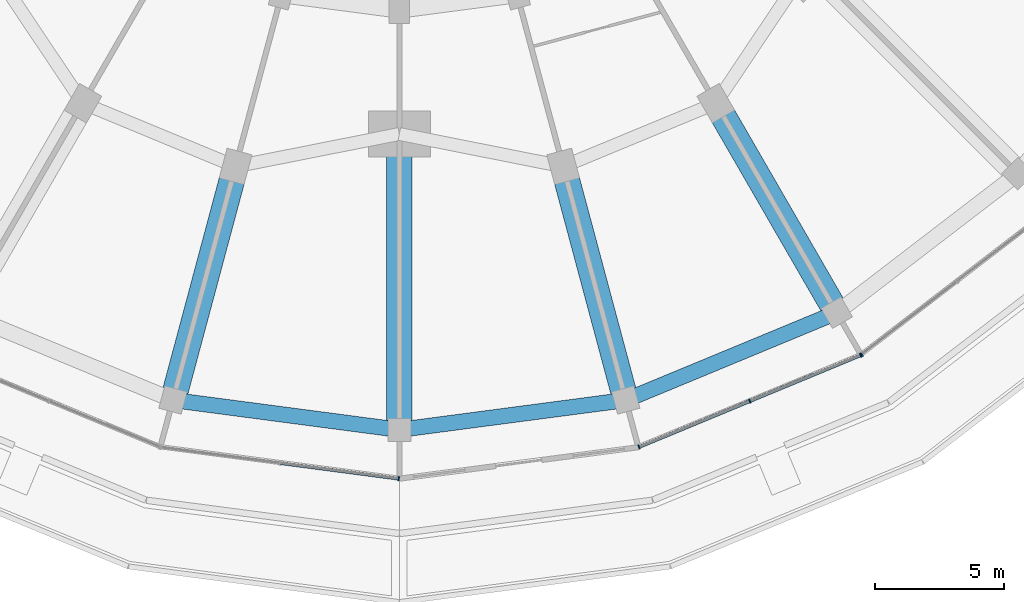
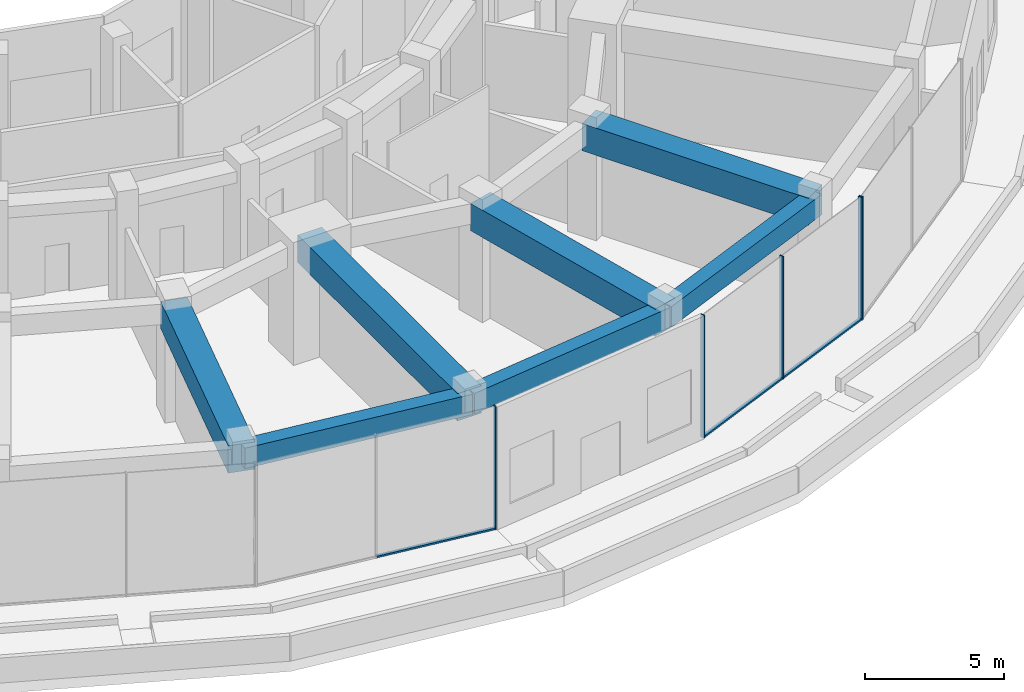
# One storey, part 5 of 26: 8 members, 7 beams, 3 elements without a shape of their own.
"""IFC4 building model written with IfcOpenShell, lengths in metres."""

from ifc_helpers import new_model, si_unit, direction, frame, origin, origin_2d, place, context, subcontext, project, spatial, rectangle, extrude, material, layer, layer_set, material_profile, profile_set, type_object, element, aggregate, save


model = new_model("IFC4")

# Units and contexts
model_context = context("Model", 3, precision=1e-05, world=origin(), true_north=direction((0.0, 1.0)))
body_context = subcontext(model_context, "Body", "Model", "MODEL_VIEW")
ifc_project = project(units=[si_unit("LENGTHUNIT", "METRE"), si_unit("AREAUNIT", "SQUARE_METRE"), si_unit("VOLUMEUNIT", "CUBIC_METRE"), si_unit("PLANEANGLEUNIT", "RADIAN"), si_unit("MASSUNIT", "GRAM", prefix="KILO")], contexts=[model_context])

# Site, building, storey
site_placement = place(None, origin())
site = spatial("IfcSite", under=ifc_project, at=site_placement, CompositionType="ELEMENT")
building_placement = place(site_placement, origin())
building = spatial("IfcBuilding", under=site, at=building_placement, Name="Torre Brocal", CompositionType="ELEMENT")
storey_placement = place(building_placement, frame((0.0, 0.0, 12.39990234375)))
storey = spatial("IfcBuildingStorey", under=building, at=storey_placement, Name="L02", CompositionType="ELEMENT", Elevation=12.39990234375)

# Curtain wall, member
ifc_material_1 = material(Name="Aluminium and glass", Category="aluminium")
ifc_layer = layer(ifc_material_1, 0.199951171875)
ifc_layer_set = layer_set([ifc_layer], Name="Aluminium and glass")
curtain_wall_type = type_object("IfcCurtainWallType", Name="CW-6 CURTAIN WALL 5400 HIGH", PredefinedType="NOTDEFINED", material=ifc_layer_set)
curtain_wall_1_placement = place(storey_placement, origin())
curtain_wall_1 = element("IfcCurtainWall", 1, at=curtain_wall_1_placement, inside=storey, type_object=curtain_wall_type, Name="CW-6 RUN 18", PredefinedType="NOTDEFINED")
ifc_material_2 = material(Name="Aluminium, dark anodised", Category="aluminium")
ifc_material_profile_1 = material_profile(ifc_material_2, rectangle(XDim=0.159912109375, YDim=0.050048828125, at=origin_2d()), Name="CW-6 MULLION 50X160")
ifc_profile_set_1 = profile_set([ifc_material_profile_1], Name="Aluminium, dark anodised")
member_type_1 = type_object("IfcMemberType", Name="CW-6 MULLION 50X160", PredefinedType="MULLION", material=ifc_profile_set_1)
member_1_placement = place(storey_placement, frame((79.97509765625, 39.104248046875, 0.0), z_axis=(0.0, 0.0, 1.0), x_axis=(0.130526192255, 0.991444861369, 0.0)))
member_1 = element("IfcMember", 2, at=member_1_placement, type_object=member_type_1, Name="CW6-1 mullion 3", PredefinedType="MULLION", context=body_context, shape_type="SweptSolid", body=[
    extrude(rectangle(XDim=0.159912109375, YDim=0.050048828125, at=origin_2d()), origin(), (0.0, 0.0, 1.0), 5.400146484375),
])

# Curtain wall, members
curtain_wall_2_placement = place(storey_placement, origin())
curtain_wall_2 = element("IfcCurtainWall", 3, at=curtain_wall_2_placement, inside=storey, type_object=curtain_wall_type, Name="CW-6 RUN 20", PredefinedType="NOTDEFINED")
member_2_placement = place(storey_placement, frame((89.314453125, 40.333740234375, 0.0), z_axis=(0.0, 0.0, 1.0), x_axis=(-0.382683432333, 0.923879532525, 0.0)))
member_2 = element("IfcMember", 4, at=member_2_placement, type_object=member_type_1, Name="CW6-1 mullion 1", PredefinedType="MULLION", context=body_context, shape_type="SweptSolid", body=[
    extrude(rectangle(XDim=0.159912109375, YDim=0.050048828125, at=origin_2d()), origin(), (0.0, 0.0, 1.0), 5.400146484375),
])
member_3_placement = place(storey_placement, frame((93.620361328125, 42.1171875, 0.0), z_axis=(0.0, 0.0, 1.0), x_axis=(-0.382683432333, 0.923879532525, 0.0)))
member_3 = element("IfcMember", 5, at=member_3_placement, type_object=member_type_1, Name="CW6-1 mullion 2", PredefinedType="MULLION", context=body_context, shape_type="SweptSolid", body=[
    extrude(rectangle(XDim=0.159912109375, YDim=0.050048828125, at=origin_2d()), origin(), (0.0, 0.0, 1.0), 5.400146484375),
])
member_4_placement = place(storey_placement, frame((97.926513671875, 43.90087890625, 0.0), z_axis=(0.0, 0.0, 1.0), x_axis=(-0.382683432333, 0.923879532525, 0.0)))
member_4 = element("IfcMember", 6, at=member_4_placement, type_object=member_type_1, Name="CW6-1 mullion 3", PredefinedType="MULLION", context=body_context, shape_type="SweptSolid", body=[
    extrude(rectangle(XDim=0.159912109375, YDim=0.050048828125, at=origin_2d()), origin(), (0.0, 0.0, 1.0), 5.400146484375),
])

# Curtain wall, member
curtain_wall_3_placement = place(storey_placement, origin())
curtain_wall_3 = element("IfcCurtainWall", 7, at=curtain_wall_3_placement, inside=storey, type_object=curtain_wall_type, Name="CW-6 RUN 21", PredefinedType="NOTDEFINED")
member_5_placement = place(storey_placement, frame((97.969482421875, 43.925537109375, 0.0), z_axis=(0.0, 0.0, 1.0), x_axis=(-0.608761429009, 0.793353340291, 0.0)))
member_5 = element("IfcMember", 8, at=member_5_placement, type_object=member_type_1, Name="CW6-1 mullion 1", PredefinedType="MULLION", context=body_context, shape_type="SweptSolid", body=[
    extrude(rectangle(XDim=0.159912109375, YDim=0.050048828125, at=origin_2d()), origin(), (0.0, 0.0, 1.0), 5.400146484375),
])
aggregate(curtain_wall_3, [member_5])

# Member
ifc_material_3 = material(Name="Aluminium, dark anodised", Category="aluminium")
ifc_material_profile_2 = material_profile(ifc_material_3, rectangle(XDim=0.1298828125, YDim=0.070068359375, at=origin_2d()), Name="CW-6 TRANSOM 130X70")
ifc_profile_set_2 = profile_set([ifc_material_profile_2], Name="Aluminium, dark anodised")
member_type_2 = type_object("IfcMemberType", Name="CW-6 TRANSOM 130X70", PredefinedType="USERDEFINED", material=ifc_profile_set_2)
member_6_placement = place(storey_placement, frame((75.379150390625, 39.709228515625, 0.03515625), z_axis=(0.991445281859, -0.130522998279, 0.0), x_axis=(0.130522998279, 0.991445281859, 0.0)))
member_6 = element("IfcMember", 9, at=member_6_placement, type_object=member_type_2, Name="CW6-1 transom 2.1", ObjectType="TRANSOM", PredefinedType="USERDEFINED", context=body_context, shape_type="SweptSolid", body=[
    extrude(rectangle(XDim=0.1298828125, YDim=0.070068359375, at=origin_2d()), origin(), (0.0, 0.0, 1.0), 4.61083984375),
])

aggregate(curtain_wall_1, [member_1, member_6])

member_7_placement = place(storey_placement, frame((89.337646484375, 40.34326171875, 0.03515625), z_axis=(0.923883243627, 0.382674472816, 0.0), x_axis=(-0.382674472816, 0.923883243627, 0.0)))
member_7 = element("IfcMember", 10, at=member_7_placement, type_object=member_type_2, Name="CW6-1 transom 1.1", ObjectType="TRANSOM", PredefinedType="USERDEFINED", context=body_context, shape_type="SweptSolid", body=[
    extrude(rectangle(XDim=0.1298828125, YDim=0.070068359375, at=origin_2d()), origin(), (0.0, 0.0, 1.0), 4.61083984375),
])

member_8_placement = place(storey_placement, frame((93.6435546875, 42.126953125, 0.03515625), z_axis=(0.923883243627, 0.382674472816, 0.0), x_axis=(-0.382674472816, 0.923883243627, 0.0)))
member_8 = element("IfcMember", 11, at=member_8_placement, type_object=member_type_2, Name="CW6-1 transom 2.1", ObjectType="TRANSOM", PredefinedType="USERDEFINED", context=body_context, shape_type="SweptSolid", body=[
    extrude(rectangle(XDim=0.1298828125, YDim=0.070068359375, at=origin_2d()), origin(), (0.0, 0.0, 1.0), 4.61083984375),
])

aggregate(curtain_wall_2, [member_2, member_3, member_4, member_7, member_8])

# Beams
ifc_material_4 = material(Name="Concrete C50", Category="concrete")
ifc_material_profile_3 = material_profile(ifc_material_4, rectangle(XDim=0.60009765625, YDim=0.89990234375, at=origin_2d()), Name="RC 600X900")
ifc_profile_set_3 = profile_set([ifc_material_profile_3], Name="Concrete C50")
beam_type_1 = type_object("IfcBeamType", Name="RC BEAM 600X900 C50 TOP 4950", PredefinedType="BEAM", material=ifc_profile_set_3)
for number, where, z_axis, x_axis, name in (
    (12, (71.2001953125, 42.158447265625, 4.5), (0.991445867372, -0.130518550679, 0.0), (0.130518550679, 0.991445867372, 0.0), "Beam BT-10"),
    (13, (80.0, 41.0, 4.5), (0.991445867372, 0.130518550679, 0.0), (-0.130518550679, 0.991445867372, 0.0), "Beam BT-10"),
):
    element("IfcBeam", number, at=place(storey_placement, frame(where, z_axis=z_axis, x_axis=x_axis)), inside=storey, type_object=beam_type_1, Name=name, PredefinedType="BEAM", context=body_context, shape_type="SweptSolid", body=[
        extrude(rectangle(XDim=0.60009765625, YDim=0.89990234375, at=origin_2d()), origin(), (0.0, 0.0, 1.0), 8.875732421875),
    ])
beam_1_placement = place(storey_placement, frame((88.7998046875, 42.158447265625, 4.5), z_axis=(0.923875692429, 0.382692703012, 0.0), x_axis=(-0.382692703012, 0.923875692429, 0.0)))
element("IfcBeam", 14, at=beam_1_placement, inside=storey, type_object=beam_type_1, Name="Beam BT-10", PredefinedType="BEAM", context=body_context, shape_type="SweptSolid", body=[
    extrude(rectangle(XDim=0.60009765625, YDim=0.89990234375, at=origin_2d()), origin(), (0.0, 0.0, 1.0), 8.8759765625),
])
ifc_material_5 = material(Name="Concrete C60", Category="concrete")
ifc_material_profile_4 = material_profile(ifc_material_5, rectangle(XDim=1.0, YDim=1.199951171875, at=origin_2d()), Name="RC 1000X1200")
ifc_profile_set_4 = profile_set([ifc_material_profile_4], Name="Concrete C60")
beam_type_2 = type_object("IfcBeamType", Name="RC TRANSFER GIRDER 1000X1200 C60 TOP 4950", PredefinedType="BEAM", material=ifc_profile_set_4)
beam_2_placement = place(storey_placement, frame((73.633056640625, 51.23828125, 4.35009765625), z_axis=(-0.258811813801, -0.965927763881, 0.0), x_axis=(0.965927763881, -0.258811813801, 0.0)))
element("IfcBeam", 15, at=beam_2_placement, inside=storey, type_object=beam_type_2, Name="Beam TG-03", PredefinedType="BEAM", context=body_context, shape_type="SweptSolid", body=[
    extrude(rectangle(XDim=1.0, YDim=1.199951171875, at=origin_2d()), origin(), (0.0, 0.0, 1.0), 9.400146484375),
])
beam_3_placement = place(storey_placement, frame((80.0, 52.5, 4.35009765625), z_axis=(0.0, -1.0, 0.0), x_axis=(1.0, 0.0, 0.0)))
element("IfcBeam", 16, at=beam_3_placement, inside=storey, type_object=beam_type_2, Name="Beam TG-03", PredefinedType="BEAM", context=body_context, shape_type="SweptSolid", body=[
    extrude(rectangle(XDim=1.0, YDim=1.199951171875, at=origin_2d()), origin(), (0.0, 0.0, 1.0), 11.5),
])
beam_4_placement = place(storey_placement, frame((86.366943359375, 51.23828125, 4.35009765625), z_axis=(0.258811813801, -0.965927763881, 0.0), x_axis=(0.965927763881, 0.258811813801, 0.0)))
element("IfcBeam", 17, at=beam_4_placement, inside=storey, type_object=beam_type_2, Name="Beam TG-03", PredefinedType="BEAM", context=body_context, shape_type="SweptSolid", body=[
    extrude(rectangle(XDim=1.0, YDim=1.199951171875, at=origin_2d()), origin(), (0.0, 0.0, 1.0), 9.400146484375),
])
beam_5_placement = place(storey_placement, frame((92.300048828125, 53.69580078125, 4.35009765625), z_axis=(0.499996739618, -0.866027286158, 0.0), x_axis=(0.866027286158, 0.499996739618, 0.0)))
element("IfcBeam", 18, at=beam_5_placement, inside=storey, type_object=beam_type_2, Name="Beam TG-03", PredefinedType="BEAM", context=body_context, shape_type="SweptSolid", body=[
    extrude(rectangle(XDim=1.0, YDim=1.199951171875, at=origin_2d()), origin(), (0.0, 0.0, 1.0), 9.39990234375),
])

save(model, "model.ifc")
